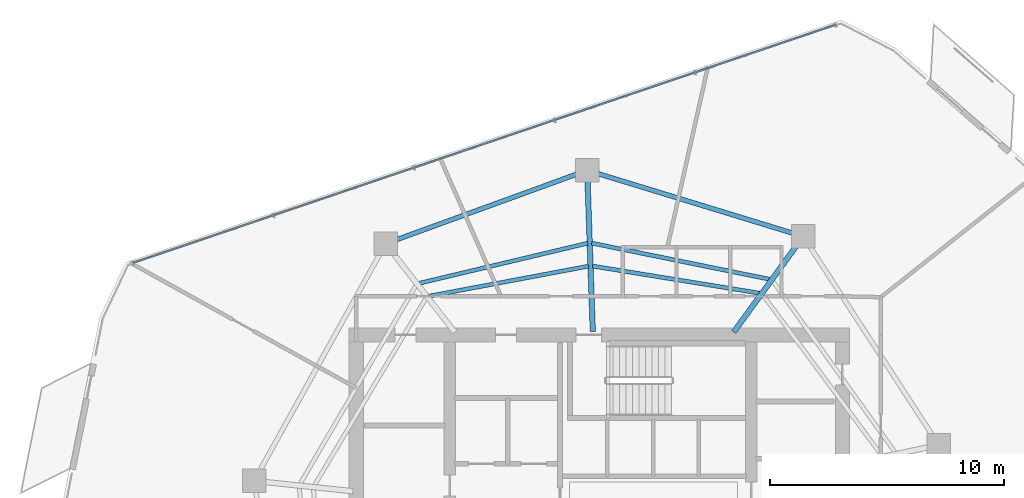
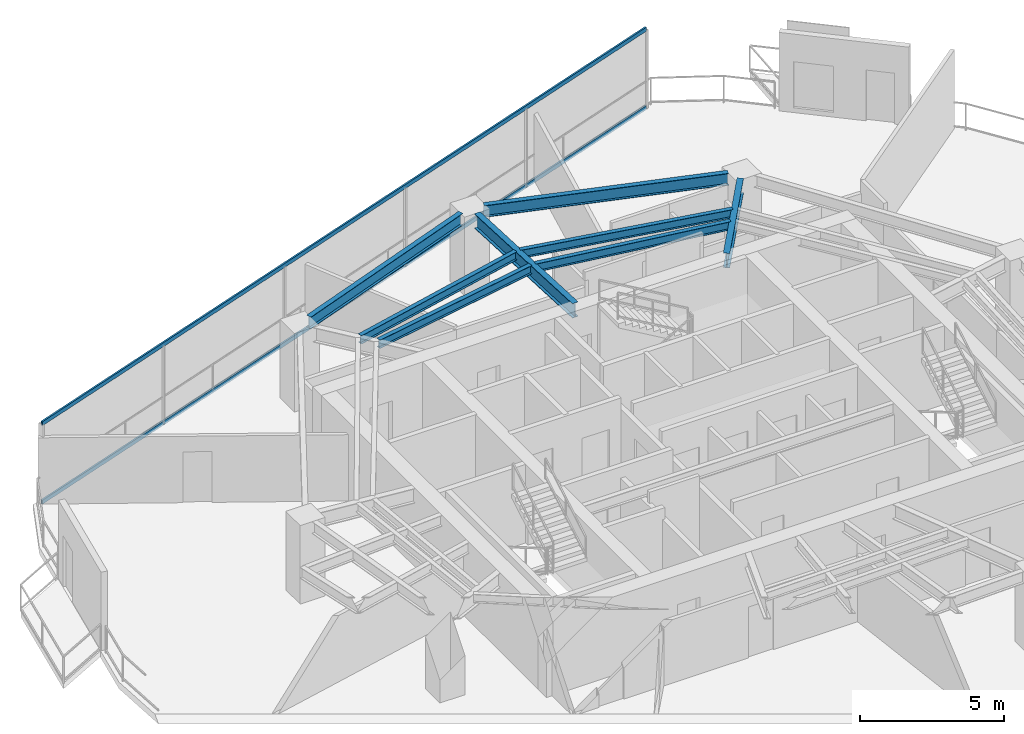
# One storey, part 12 of 20: 8 beams, 2 members, 1 element without a shape of its own.
"""IFC4 building model written with IfcOpenShell, lengths in metres."""

from ifc_helpers import new_model, si_unit, direction, frame, origin, origin_2d, place, context, subcontext, project, spatial, hollow_rectangle, i_section, extrude, material, layer, layer_set, material_profile, profile_set, type_object, element, aggregate, save


model = new_model("IFC4")

# Units and contexts
model_context = context("Model", 3, precision=1e-05, world=origin(), true_north=direction((0.0, 1.0)))
body_context = subcontext(model_context, "Body", "Model", "MODEL_VIEW")
ifc_project = project(units=[si_unit("LENGTHUNIT", "METRE"), si_unit("AREAUNIT", "SQUARE_METRE"), si_unit("VOLUMEUNIT", "CUBIC_METRE"), si_unit("PLANEANGLEUNIT", "RADIAN"), si_unit("MASSUNIT", "GRAM", prefix="KILO")], contexts=[model_context])

# Site, building, storey
site_placement = place(None, origin())
site = spatial("IfcSite", under=ifc_project, at=site_placement, CompositionType="ELEMENT")
building_placement = place(site_placement, origin())
building = spatial("IfcBuilding", under=site, at=building_placement, Name="Qarnah Convention Tower", CompositionType="ELEMENT")
storey_placement = place(building_placement, frame((0.0, 0.0, 136.5)))
storey = spatial("IfcBuildingStorey", under=building, at=storey_placement, Name="L36", CompositionType="ELEMENT", Elevation=136.5)

# Beams
ifc_material_1 = material(Name="Structural steel S355JR", Category="steel")
ifc_material_profile_1 = material_profile(ifc_material_1, i_section(OverallWidth=0.172119140625, OverallDepth=0.35595703125, WebThickness=0.007080078125, FlangeThickness=0.011962890625, at=origin_2d()), Name="W360X51")
ifc_profile_set_1 = profile_set([ifc_material_profile_1], Name="Structural steel S355JR")
beam_type_1 = type_object("IfcBeamType", Name="BM-JST-W360", PredefinedType="JOIST", material=ifc_profile_set_1)
beam_1_placement = place(storey_placement, frame((44.493896484375, 36.577880859375, 3.14208984375), z_axis=(-0.979984159566, 0.199075480659, 0.0), x_axis=(-0.199075480659, -0.979984159566, 0.0)))
element("IfcBeam", 1, at=beam_1_placement, inside=storey, type_object=beam_type_1, Name="L36 joist BM-L36-SJST-02", PredefinedType="JOIST", context=body_context, shape_type="SweptSolid", body=[
    extrude(i_section(OverallWidth=0.172119140625, OverallDepth=0.35595703125, WebThickness=0.007080078125, FlangeThickness=0.011962890625, at=origin_2d()), origin(), (0.0, 0.0, 1.0), 7.771484375),
])
beam_2_placement = place(storey_placement, frame((36.701904296875, 38.1220703125, 3.14208984375), z_axis=(-0.972859525366, -0.231396507979, 0.0), x_axis=(0.231396507979, -0.972859525366, 0.0)))
element("IfcBeam", 2, at=beam_2_placement, inside=storey, type_object=beam_type_1, Name="L36 joist BM-L36-SJST-03", PredefinedType="JOIST", context=body_context, shape_type="SweptSolid", body=[
    extrude(i_section(OverallWidth=0.172119140625, OverallDepth=0.35595703125, WebThickness=0.007080078125, FlangeThickness=0.011962890625, at=origin_2d()), origin(), (0.0, 0.0, 1.0), 7.416015625),
])
beam_3_placement = place(storey_placement, frame((44.06396484375, 35.98388671875, 3.14208984375), z_axis=(-0.987111234702, 0.160035653294, 0.0), x_axis=(-0.160035653294, -0.987111234702, 0.0)))
element("IfcBeam", 3, at=beam_3_placement, inside=storey, type_object=beam_type_1, Name="L36 joist BM-L36-IJST-02", PredefinedType="JOIST", context=body_context, shape_type="SweptSolid", body=[
    extrude(i_section(OverallWidth=0.172119140625, OverallDepth=0.35595703125, WebThickness=0.007080078125, FlangeThickness=0.011962890625, at=origin_2d()), origin(), (0.0, 0.0, 1.0), 7.2431640625),
])
beam_4_placement = place(storey_placement, frame((36.737060546875, 37.139892578125, 3.14208984375), z_axis=(-0.982756163935, -0.18490625259, 0.0), x_axis=(0.18490625259, -0.982756163935, 0.0)))
element("IfcBeam", 4, at=beam_4_placement, inside=storey, type_object=beam_type_1, Name="L36 joist BM-L36-IJST-03", PredefinedType="JOIST", context=body_context, shape_type="SweptSolid", body=[
    extrude(i_section(OverallWidth=0.172119140625, OverallDepth=0.35595703125, WebThickness=0.007080078125, FlangeThickness=0.011962890625, at=origin_2d()), origin(), (0.0, 0.0, 1.0), 6.943603515625),
])
ifc_material_profile_2 = material_profile(ifc_material_1, i_section(OverallWidth=0.22998046875, OverallDepth=0.617919921875, WebThickness=0.012939453125, FlangeThickness=0.02197265625, at=origin_2d()), Name="W610X140")
ifc_profile_set_2 = profile_set([ifc_material_profile_2], Name="Structural steel S355JR")
beam_type_2 = type_object("IfcBeamType", Name="BM-RAD-W610A", PredefinedType="BEAM", material=ifc_profile_set_2)
beam_5_placement = place(storey_placement, frame((42.955078125, 34.321044921875, 3.010986328125), z_axis=(0.58781027487, 0.808998813817, 0.0), x_axis=(-0.808998813817, 0.58781027487, 0.0)))
element("IfcBeam", 5, at=beam_5_placement, inside=storey, type_object=beam_type_2, Name="L36 beam BM-L36-RAD-02", PredefinedType="BEAM", context=body_context, shape_type="SweptSolid", body=[
    extrude(i_section(OverallWidth=0.22998046875, OverallDepth=0.617919921875, WebThickness=0.012939453125, FlangeThickness=0.02197265625, at=origin_2d()), origin(), (0.0, 0.0, 1.0), 4.57958984375),
])
beam_6_placement = place(storey_placement, frame((36.923095703125, 34.35009765625, 3.010986328125), z_axis=(-0.034938098977, 0.999389478252, 0.0), x_axis=(-0.999389478252, -0.034938098977, 0.0)))
element("IfcBeam", 6, at=beam_6_placement, inside=storey, type_object=beam_type_2, Name="L36 beam BM-L36-RAD-03", PredefinedType="BEAM", context=body_context, shape_type="SweptSolid", body=[
    extrude(i_section(OverallWidth=0.22998046875, OverallDepth=0.617919921875, WebThickness=0.012939453125, FlangeThickness=0.02197265625, at=origin_2d()), origin(), (0.0, 0.0, 1.0), 6.414794921875),
])
ifc_material_profile_3 = material_profile(ifc_material_1, i_section(OverallWidth=0.199951171875, OverallDepth=0.5, WebThickness=0.010009765625, FlangeThickness=0.01611328125, at=origin_2d()), Name="IPE500")
ifc_profile_set_3 = profile_set([ifc_material_profile_3], Name="Structural steel S355JR")
beam_type_3 = type_object("IfcBeamType", Name="BM-SPN-IPE500", PredefinedType="SPANDREL", material=ifc_profile_set_3)
beam_7_placement = place(storey_placement, frame((45.4599609375, 38.556884765625, 3.070068359375), z_axis=(-0.956283054976, 0.292442676035, 0.0), x_axis=(-0.292442676035, -0.956283054976, 0.0)))
element("IfcBeam", 7, at=beam_7_placement, inside=storey, type_object=beam_type_3, Name="L36 spandrel BM-L36-SPN-02", PredefinedType="SPANDREL", context=body_context, shape_type="SweptSolid", body=[
    extrude(i_section(OverallWidth=0.199951171875, OverallDepth=0.5, WebThickness=0.010009765625, FlangeThickness=0.01611328125, at=origin_2d()), origin(), (0.0, 0.0, 1.0), 8.68896484375),
])
beam_8_placement = place(storey_placement, frame((36.221923828125, 41.072998046875, 3.070068359375), z_axis=(-0.939745596534, -0.341874558567, 0.0), x_axis=(0.341874558567, -0.939745596534, 0.0)))
element("IfcBeam", 8, at=beam_8_placement, inside=storey, type_object=beam_type_3, Name="L36 spandrel BM-L36-SPN-03", PredefinedType="SPANDREL", context=body_context, shape_type="SweptSolid", body=[
    extrude(i_section(OverallWidth=0.199951171875, OverallDepth=0.5, WebThickness=0.010009765625, FlangeThickness=0.01611328125, at=origin_2d()), origin(), (0.0, 0.0, 1.0), 8.19873046875),
])

# Curtain wall, members
ifc_material_2 = material(Name="Tempered Low-E dark glass", Category="glass")
ifc_layer = layer(ifc_material_2, 0.172119140625)
ifc_layer_set = layer_set([ifc_layer], Name="Tempered Low-E dark glass")
curtain_wall_type = type_object("IfcCurtainWallType", Name="CWS-03", PredefinedType="NOTDEFINED", material=ifc_layer_set)
curtain_wall_placement = place(storey_placement, origin())
curtain_wall = element("IfcCurtainWall", 9, at=curtain_wall_placement, inside=storey, type_object=curtain_wall_type, Name="L36 unitised curtain wall CW-L36-F3", PredefinedType="NOTDEFINED")
ifc_material_3 = material(Name="Black anodised aluminium", Category="aluminium")
ifc_material_profile_4 = material_profile(ifc_material_3, hollow_rectangle(XDim=0.070068359375, YDim=0.169921875, WallThickness=0.0048828125, at=origin_2d()), Name="TRN-70X170")
ifc_profile_set_4 = profile_set([ifc_material_profile_4], Name="Black anodised aluminium")
member_type = type_object("IfcMemberType", Name="TRN-T3", PredefinedType="USERDEFINED", material=ifc_profile_set_4)
member_1_placement = place(storey_placement, frame((17.25390625, 37.279052734375, 0.0), z_axis=(0.947092756974, 0.320959981442, 0.0), x_axis=(-0.320959981442, 0.947092756974, 0.0)))
member_1 = element("IfcMember", 10, at=member_1_placement, type_object=member_type, Name="CW-L36-F3 transom 1", ObjectType="TRANSOM", PredefinedType="USERDEFINED", context=body_context, shape_type="SweptSolid", body=[
    extrude(hollow_rectangle(XDim=0.070068359375, YDim=0.169921875, WallThickness=0.0048828125, at=origin_2d()), origin(), (0.0, 0.0, 1.0), 31.733154296875),
])
member_2_placement = place(storey_placement, frame((17.25390625, 37.279052734375, 3.320068359375), z_axis=(0.947092756974, 0.320959981442, 0.0), x_axis=(-0.320959981442, 0.947092756974, 0.0)))
member_2 = element("IfcMember", 11, at=member_2_placement, type_object=member_type, Name="CW-L36-F3 transom 2", ObjectType="TRANSOM", PredefinedType="USERDEFINED", context=body_context, shape_type="SweptSolid", body=[
    extrude(hollow_rectangle(XDim=0.070068359375, YDim=0.169921875, WallThickness=0.0048828125, at=origin_2d()), origin(), (0.0, 0.0, 1.0), 31.733154296875),
])
aggregate(curtain_wall, [member_1, member_2])

save(model, "model.ifc")
